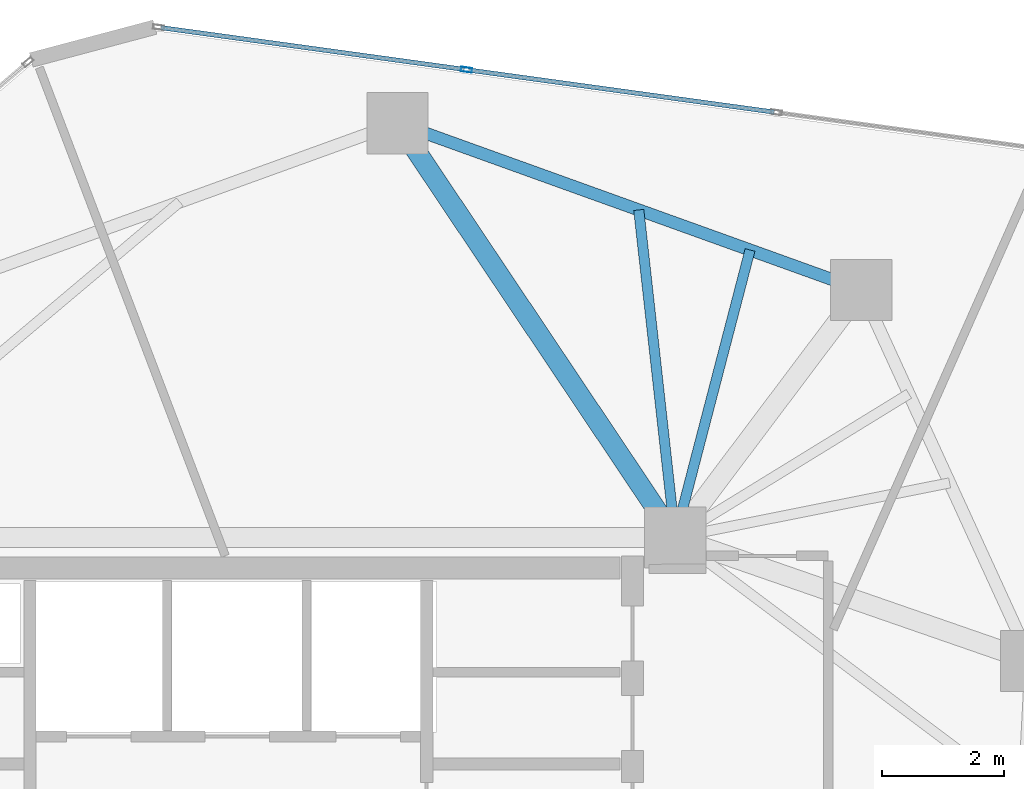
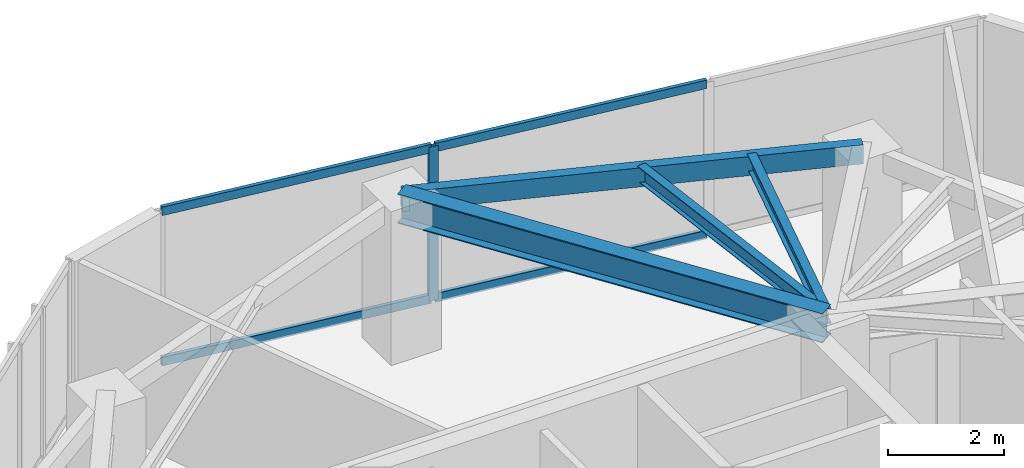
# One storey, part 14 of 21: 5 members, 4 beams, 1 element without a shape of its own.
"""IFC4 building model written with IfcOpenShell, lengths in metres."""

from ifc_helpers import new_model, si_unit, direction, frame, origin, origin_2d, place, context, subcontext, project, spatial, hollow_rectangle, i_section, extrude, source, transform, mapped, material, layer, layer_set, material_profile, profile_set, type_object, type_shapes, element, aggregate, save


model = new_model("IFC4")

# Units and contexts
model_context = context("Model", 3, precision=1e-05, world=origin(), true_north=direction((0.0, 1.0)))
body_context = subcontext(model_context, "Body", "Model", "MODEL_VIEW")
ifc_project = project(units=[si_unit("LENGTHUNIT", "METRE"), si_unit("AREAUNIT", "SQUARE_METRE"), si_unit("VOLUMEUNIT", "CUBIC_METRE"), si_unit("PLANEANGLEUNIT", "RADIAN"), si_unit("MASSUNIT", "GRAM", prefix="KILO")], contexts=[model_context])

# Site, building, storey
site_placement = place(None, origin())
site = spatial("IfcSite", under=ifc_project, at=site_placement, CompositionType="ELEMENT")
building_placement = place(site_placement, origin())
building = spatial("IfcBuilding", under=site, at=building_placement, Name="Talar Marvaseh", CompositionType="ELEMENT")
storey_placement = place(building_placement, frame((0.0, 0.0, 225.699951171875)))
storey = spatial("IfcBuildingStorey", under=building, at=storey_placement, Name="L59", CompositionType="ELEMENT", Elevation=225.699951171875)

# Beams
ifc_material_1 = material(Name="Steel S355", Category="steel")
ifc_material_profile_1 = material_profile(ifc_material_1, hollow_rectangle(XDim=0.199951171875, YDim=0.39990234375, WallThickness=0.013916015625, at=origin_2d()), Name="RHS400x200x14")
ifc_profile_set_1 = profile_set([ifc_material_profile_1], Name="Steel S355")
beam_type_1 = type_object("IfcBeamType", Name="Zone 3 Perimeter Spandrel Beam RHS400x200x14", PredefinedType="SPANDREL", material=ifc_profile_set_1)
beam_1_placement = place(storey_placement, frame((28.76611328125, 43.66796875, 3.030029296875), z_axis=(0.940923359576, -0.3386195969, 0.0), x_axis=(0.3386195969, 0.940923359576, 0.0)))
element("IfcBeam", 1, at=beam_1_placement, inside=storey, type_object=beam_type_1, Name="L59 Zone 3 Perimeter Spandrel Beam RHS400x200x14", PredefinedType="SPANDREL", context=body_context, shape_type="SweptSolid", body=[
    extrude(hollow_rectangle(XDim=0.199951171875, YDim=0.39990234375, WallThickness=0.013916015625, at=origin_2d()), origin(), (0.0, 0.0, 1.0), 8.050537109375),
])
ifc_material_profile_2 = material_profile(ifc_material_1, i_section(OverallWidth=0.324951171875, OverallDepth=0.615966796875, WebThickness=0.013916015625, FlangeThickness=0.021484375, at=origin_2d()), Name="W610x174")
ifc_profile_set_2 = profile_set([ifc_material_profile_2], Name="Steel S355")
beam_type_2 = type_object("IfcBeamType", Name="Zone 3 Radial Floor Girder W610x174", PredefinedType="BEAM", material=ifc_profile_set_2)
beam_2_placement = place(storey_placement, frame((28.76611328125, 43.66796875, 2.922119140625), z_axis=(0.556559209375, -0.830807948, 0.0), x_axis=(0.830807948, 0.556559209375, 0.0)))
element("IfcBeam", 2, at=beam_2_placement, inside=storey, type_object=beam_type_2, Name="L59 Zone 3 Radial Floor Girder W610x174", PredefinedType="BEAM", context=body_context, shape_type="SweptSolid", body=[
    extrude(i_section(OverallWidth=0.324951171875, OverallDepth=0.615966796875, WebThickness=0.013916015625, FlangeThickness=0.021484375, at=origin_2d()), origin(), (0.0, 0.0, 1.0), 8.146484375),
])
ifc_material_profile_3 = material_profile(ifc_material_1, i_section(OverallWidth=0.166015625, OverallDepth=0.31298828125, WebThickness=0.006591796875, FlangeThickness=0.01123046875, at=origin_2d()), Name="W310x45")
ifc_profile_set_3 = profile_set([ifc_material_profile_3], Name="Steel S355")
beam_type_3 = type_object("IfcBeamType", Name="Zone 3 Secondary Floor Joist W310x45", PredefinedType="JOIST", material=ifc_profile_set_3)
beam_3_placement = place(storey_placement, frame((32.705078125, 42.25048828125, 3.073486328125), z_axis=(0.110516140753, -0.993874329396, 0.0), x_axis=(0.993874329396, 0.110516140753, 0.0)))
element("IfcBeam", 3, at=beam_3_placement, inside=storey, type_object=beam_type_3, Name="L59 Zone 3 Secondary Floor Joist W310x45", PredefinedType="JOIST", context=body_context, shape_type="SweptSolid", body=[
    extrude(i_section(OverallWidth=0.166015625, OverallDepth=0.31298828125, WebThickness=0.006591796875, FlangeThickness=0.01123046875, at=origin_2d()), origin(), (0.0, 0.0, 1.0), 5.383544921875),
])
beam_4_placement = place(storey_placement, frame((34.52294921875, 41.59619140625, 3.073486328125), z_axis=(-0.251993851934, -0.967728835257, 0.0), x_axis=(0.967728835257, -0.251993851934, 0.0)))
element("IfcBeam", 4, at=beam_4_placement, inside=storey, type_object=beam_type_3, Name="L59 Zone 3 Secondary Floor Joist W310x45", PredefinedType="JOIST", context=body_context, shape_type="SweptSolid", body=[
    extrude(i_section(OverallWidth=0.166015625, OverallDepth=0.31298828125, WebThickness=0.006591796875, FlangeThickness=0.01123046875, at=origin_2d()), origin(), (0.0, 0.0, 1.0), 4.852783203125),
])

# Curtain wall, members
ifc_material_2 = material(Name="Architectural Aluminium", Category="aluminium")
ifc_layer = layer(ifc_material_2, 0.18994140625)
ifc_layer_set = layer_set([ifc_layer], Name="Architectural Aluminium")
curtain_wall_type = type_object("IfcCurtainWallType", Name="Unitised Solar Atelier Curtain Wall Z3", PredefinedType="NOTDEFINED", material=ifc_layer_set)
curtain_wall_placement = place(storey_placement, origin())
curtain_wall = element("IfcCurtainWall", 5, at=curtain_wall_placement, inside=storey, type_object=curtain_wall_type, Name="L59 Unitised Solar Atelier Curtain Wall Z3", PredefinedType="NOTDEFINED")
ifc_material_profile_4 = material_profile(ifc_material_2, hollow_rectangle(XDim=0.074951171875, YDim=0.179931640625, WallThickness=0.0048828125, at=origin_2d()), Name="RHS180x75x5")
ifc_profile_set_4 = profile_set([ifc_material_profile_4], Name="Architectural Aluminium")
member_type_1 = type_object("IfcMemberType", Name="Unitised Curtain Wall Standard Mullion RHS180x75x5", PredefinedType="MULLION", material=ifc_profile_set_4)
shared_shape_1 = source(origin(), body_context, "Body", "SweptSolid", [
    extrude(hollow_rectangle(XDim=0.074951171875, YDim=0.179931640625, WallThickness=0.0048828125, at=origin_2d()), origin(), (0.0, 0.0, 1.0), 3.22998046875),
])
type_shapes(member_type_1, [shared_shape_1])
member_1_placement = place(storey_placement, frame((29.8896484375, 44.540283203125, 0.0), z_axis=(0.0, 0.0, 1.0), x_axis=(0.136514738392, 0.990638039953, 0.0)))
member_1 = element("IfcMember", 6, at=member_1_placement, type_object=member_type_1, Name="CW-Z3 mullion 2", PredefinedType="MULLION", context=body_context, shape_type="MappedRepresentation", body=[
    mapped(shared_shape_1, transform((0.0, 0.0, 0.0), x_axis=(1.0, 0.0, 0.0), y_axis=(0.0, 1.0, 0.0), z_axis=(0.0, 0.0, 1.0), scale=1.0)),
])
ifc_material_profile_5 = material_profile(ifc_material_2, hollow_rectangle(XDim=0.074951171875, YDim=0.179931640625, WallThickness=0.0048828125, at=origin_2d()), Name="RHS180x75x5")
ifc_profile_set_5 = profile_set([ifc_material_profile_5], Name="Architectural Aluminium")
member_type_2 = type_object("IfcMemberType", Name="Unitised Curtain Wall Transom RHS180x75x5", PredefinedType="USERDEFINED", material=ifc_profile_set_5)
shared_shape_2 = source(origin(), body_context, "Body", "SweptSolid", [
    extrude(hollow_rectangle(XDim=0.074951171875, YDim=0.179931640625, WallThickness=0.0048828125, at=origin_2d()), origin(), (0.0, 0.0, 1.0), 5.00048828125),
])
member_2_placement = place(storey_placement, frame((24.89892578125, 45.22802734375, 0.03759765625), z_axis=(0.990638440408, -0.136511832399, 0.0), x_axis=(0.136511832399, 0.990638440408, 0.0)))
member_2 = element("IfcMember", 7, at=member_2_placement, type_object=member_type_2, Name="CW-Z3 transom 1.1", ObjectType="TRANSOM", PredefinedType="USERDEFINED", context=body_context, shape_type="MappedRepresentation", body=[
    mapped(shared_shape_2, transform((0.0, 0.0, 0.0), x_axis=(1.0, 0.0, 0.0), y_axis=(0.0, 1.0, 0.0), z_axis=(0.0, 0.0, 1.0), scale=1.0)),
])
member_3_placement = place(storey_placement, frame((24.89892578125, 45.22802734375, 3.192626953125), z_axis=(0.990638440408, -0.136511832399, 0.0), x_axis=(0.136511832399, 0.990638440408, 0.0)))
member_3 = element("IfcMember", 8, at=member_3_placement, type_object=member_type_2, Name="CW-Z3 transom 1.2", ObjectType="TRANSOM", PredefinedType="USERDEFINED", context=body_context, shape_type="MappedRepresentation", body=[
    mapped(shared_shape_2, transform((0.0, 0.0, 0.0), x_axis=(1.0, 0.0, 0.0), y_axis=(0.0, 1.0, 0.0), z_axis=(0.0, 0.0, 1.0), scale=1.0)),
])
shared_shape_3 = source(origin(), body_context, "Body", "SweptSolid", [
    extrude(hollow_rectangle(XDim=0.074951171875, YDim=0.179931640625, WallThickness=0.0048828125, at=origin_2d()), origin(), (0.0, 0.0, 1.0), 5.037841796875),
])
type_shapes(member_type_2, [shared_shape_2, shared_shape_3])
member_4_placement = place(storey_placement, frame((29.927001953125, 44.53515625, 0.03759765625), z_axis=(0.990638085757, -0.136514406006, 0.0), x_axis=(0.136514406006, 0.990638085757, 0.0)))
member_4 = element("IfcMember", 9, at=member_4_placement, type_object=member_type_2, Name="CW-Z3 transom 2.1", ObjectType="TRANSOM", PredefinedType="USERDEFINED", context=body_context, shape_type="MappedRepresentation", body=[
    mapped(shared_shape_3, transform((0.0, 0.0, 0.0), x_axis=(1.0, 0.0, 0.0), y_axis=(0.0, 1.0, 0.0), z_axis=(0.0, 0.0, 1.0), scale=1.0)),
])
member_5_placement = place(storey_placement, frame((29.927001953125, 44.53515625, 3.192626953125), z_axis=(0.990638085757, -0.136514406006, 0.0), x_axis=(0.136514406006, 0.990638085757, 0.0)))
member_5 = element("IfcMember", 10, at=member_5_placement, type_object=member_type_2, Name="CW-Z3 transom 2.2", ObjectType="TRANSOM", PredefinedType="USERDEFINED", context=body_context, shape_type="MappedRepresentation", body=[
    mapped(shared_shape_3, transform((0.0, 0.0, 0.0), x_axis=(1.0, 0.0, 0.0), y_axis=(0.0, 1.0, 0.0), z_axis=(0.0, 0.0, 1.0), scale=1.0)),
])
aggregate(curtain_wall, [member_1, member_2, member_3, member_4, member_5])

save(model, "model.ifc")
